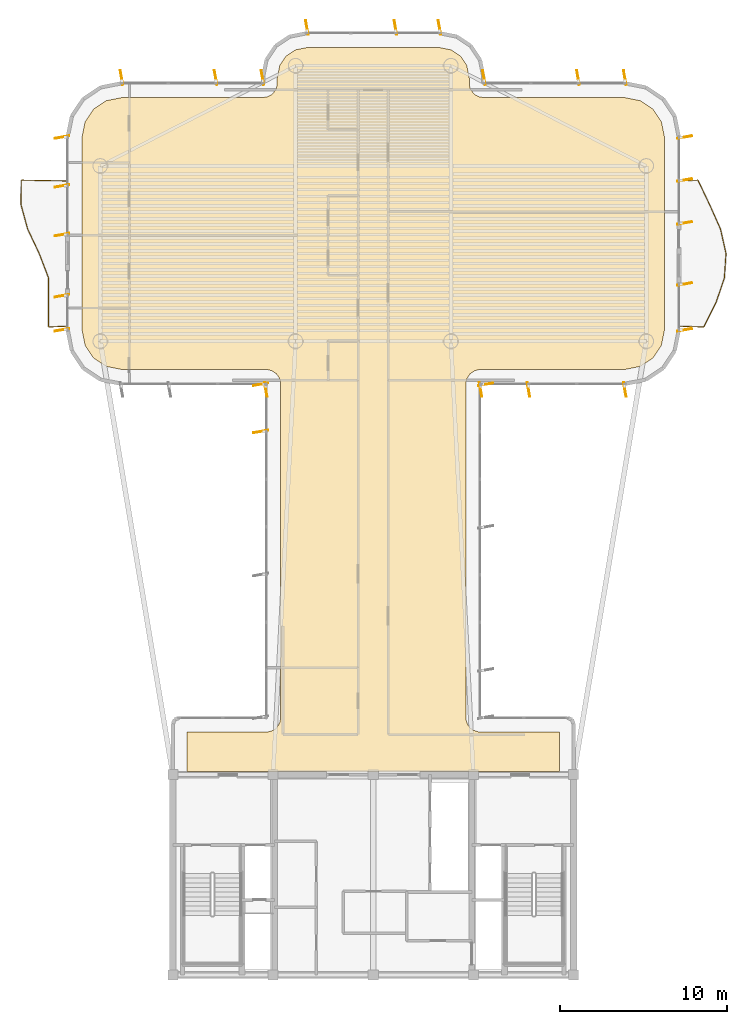
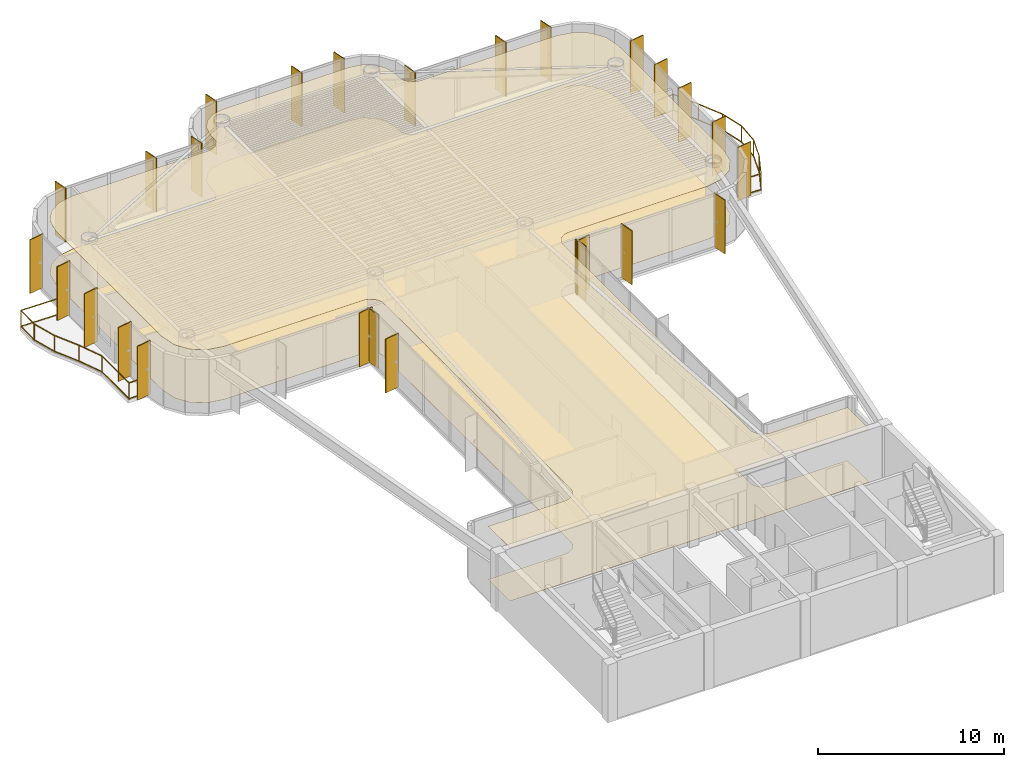
# One storey, part 15 of 15: 26 shading devices, 2 coverings, 2 railings.
"""IFC4 building model written with IfcOpenShell, lengths in metres."""

from ifc_helpers import new_model, si_unit, direction, frame, origin, origin_2d, place, context, subcontext, project, spatial, polyline, rectangle, outline, extrude, source, transform, mapped, material, layer, layer_set, material_profile, profile_set, type_object, element, save


model = new_model("IFC4")

# Units and contexts
model_context = context("Model", 3, precision=1e-05, world=origin(), true_north=direction((0.0, 1.0)))
body_context = subcontext(model_context, "Body", "Model", "MODEL_VIEW")
ifc_project = project(units=[si_unit("LENGTHUNIT", "METRE"), si_unit("AREAUNIT", "SQUARE_METRE"), si_unit("VOLUMEUNIT", "CUBIC_METRE"), si_unit("PLANEANGLEUNIT", "RADIAN"), si_unit("MASSUNIT", "GRAM", prefix="KILO")], contexts=[model_context])

# Site, building, storey
site_placement = place(None, origin())
site = spatial("IfcSite", under=ifc_project, at=site_placement, CompositionType="ELEMENT")
building_placement = place(site_placement, origin())
building = spatial("IfcBuilding", under=site, at=building_placement, Name="Brelvock Crest Care Tower", CompositionType="ELEMENT")
storey_placement = place(building_placement, frame((0.0, 0.0, 279.719970703125)))
storey = spatial("IfcBuildingStorey", under=building, at=storey_placement, Name="L71", CompositionType="ELEMENT", Elevation=279.719970703125)

# Coverings
ifc_material_1 = material(Name="Mineral Fibre Acoustic Ceiling Tile", Category="gypsum")
ifc_layer_1 = layer(ifc_material_1, 0.02490234375, Name="COV-CLG1")
ifc_layer_set_1 = layer_set([ifc_layer_1], Name="Mineral Fibre Acoustic Ceiling Tile")
covering_type_1 = type_object("IfcCoveringType", Name="COV-CLG1", PredefinedType="CEILING", material=ifc_layer_set_1)
covering_1_placement = place(storey_placement, frame((0.0, 0.0, 3.47509765625)))
element("IfcCovering", 1, at=covering_1_placement, inside=storey, type_object=covering_type_1, Name="L71 Acoustic Suspended Ceiling 1", PredefinedType="CEILING", context=body_context, shape_type="SweptSolid", body=[
    extrude(outline(polyline([(24.85009765625, 18.199951171875), (47.14990234375, 18.199951171875), (47.14990234375, 20.550048828125), (42.316650390625, 20.55419921875), (41.999267578125, 20.650390625), (41.799072265625, 20.799072265625), (41.650390625, 20.999267578125), (41.56640625, 21.234130859375), (41.55419921875, 41.4833984375), (41.61474609375, 41.725341796875), (41.799072265625, 42.0009765625), (42.07470703125, 42.185302734375), (42.316650390625, 42.245849609375), (51.016357421875, 42.25), (51.992919921875, 42.4443359375), (52.75, 42.9501953125), (53.255615234375, 43.70703125), (53.449951171875, 44.68359375), (53.449951171875, 56.1162109375), (53.255615234375, 57.093017578125), (52.75, 57.849853515625), (51.992919921875, 58.355712890625), (51.016357421875, 58.550048828125), (42.60009765625, 58.550048828125), (42.353271484375, 58.586669921875), (42.127685546875, 58.693359375), (41.9990234375, 58.799072265625), (41.814697265625, 59.07470703125), (41.754150390625, 59.316650390625), (41.75, 59.71630859375), (41.601318359375, 60.46337890625), (41.2255859375, 61.025634765625), (40.663330078125, 61.4013671875), (39.916259765625, 61.550048828125), (32.083740234375, 61.550048828125), (31.336669921875, 61.4013671875), (30.7744140625, 61.025634765625), (30.398681640625, 60.46337890625), (30.25, 59.71630859375), (30.245849609375, 59.316650390625), (30.185302734375, 59.07470703125), (30.0009765625, 58.799072265625), (29.872314453125, 58.693359375), (29.646728515625, 58.586669921875), (29.39990234375, 58.550048828125), (20.983642578125, 58.550048828125), (20.007080078125, 58.355712890625), (19.25, 57.849853515625), (18.744384765625, 57.093017578125), (18.550048828125, 56.1162109375), (18.550048828125, 44.68359375), (18.744384765625, 43.70703125), (19.25, 42.9501953125), (20.007080078125, 42.4443359375), (20.983642578125, 42.25), (29.683349609375, 42.245849609375), (29.92529296875, 42.185302734375), (30.200927734375, 42.0009765625), (30.349609375, 41.80078125), (30.43359375, 41.56591796875), (30.449951171875, 21.39990234375), (30.413330078125, 21.1533203125), (30.306640625, 20.927734375), (30.13916015625, 20.742919921875), (29.92529296875, 20.61474609375), (29.683349609375, 20.55419921875), (24.85009765625, 20.550048828125), (24.85009765625, 18.199951171875)])), origin(), (0.0, 0.0, 1.0), 0.02490234375),
])
ifc_material_2 = material(Name="Slip-Resistant Acoustic Vinyl Flooring", Category="finish")
ifc_layer_2 = layer(ifc_material_2, 0.014892578125, Name="COV-FLR1")
ifc_layer_set_2 = layer_set([ifc_layer_2], Name="Slip-Resistant Acoustic Vinyl Flooring")
covering_type_2 = type_object("IfcCoveringType", Name="COV-FLR1", PredefinedType="FLOORING", material=ifc_layer_set_2)
covering_2_placement = place(storey_placement, origin())
element("IfcCovering", 2, at=covering_2_placement, inside=storey, type_object=covering_type_2, Name="L71 Slip-Resistant Acoustic Flooring 1", PredefinedType="FLOORING", context=body_context, shape_type="SweptSolid", body=[
    extrude(outline(polyline([(24.85009765625, 18.199951171875), (47.14990234375, 18.199951171875), (47.14990234375, 20.550048828125), (42.316650390625, 20.55419921875), (41.999267578125, 20.650390625), (41.799072265625, 20.799072265625), (41.650390625, 20.999267578125), (41.56640625, 21.234130859375), (41.55419921875, 41.4833984375), (41.61474609375, 41.725341796875), (41.799072265625, 42.0009765625), (42.07470703125, 42.185302734375), (42.316650390625, 42.245849609375), (51.016357421875, 42.25), (51.992919921875, 42.4443359375), (52.75, 42.9501953125), (53.255615234375, 43.70703125), (53.449951171875, 44.68359375), (53.449951171875, 56.1162109375), (53.255615234375, 57.093017578125), (52.75, 57.849853515625), (51.992919921875, 58.355712890625), (51.016357421875, 58.550048828125), (42.60009765625, 58.550048828125), (42.353271484375, 58.586669921875), (42.127685546875, 58.693359375), (41.9990234375, 58.799072265625), (41.814697265625, 59.07470703125), (41.754150390625, 59.316650390625), (41.75, 59.71630859375), (41.601318359375, 60.46337890625), (41.2255859375, 61.025634765625), (40.663330078125, 61.4013671875), (39.916259765625, 61.550048828125), (32.083740234375, 61.550048828125), (31.336669921875, 61.4013671875), (30.7744140625, 61.025634765625), (30.398681640625, 60.46337890625), (30.25, 59.71630859375), (30.245849609375, 59.316650390625), (30.185302734375, 59.07470703125), (30.0009765625, 58.799072265625), (29.872314453125, 58.693359375), (29.646728515625, 58.586669921875), (29.39990234375, 58.550048828125), (20.983642578125, 58.550048828125), (20.007080078125, 58.355712890625), (19.25, 57.849853515625), (18.744384765625, 57.093017578125), (18.550048828125, 56.1162109375), (18.550048828125, 44.68359375), (18.744384765625, 43.70703125), (19.25, 42.9501953125), (20.007080078125, 42.4443359375), (20.983642578125, 42.25), (29.683349609375, 42.245849609375), (29.92529296875, 42.185302734375), (30.200927734375, 42.0009765625), (30.349609375, 41.80078125), (30.43359375, 41.56591796875), (30.449951171875, 21.39990234375), (30.413330078125, 21.1533203125), (30.306640625, 20.927734375), (30.13916015625, 20.742919921875), (29.92529296875, 20.61474609375), (29.683349609375, 20.55419921875), (24.85009765625, 20.550048828125), (24.85009765625, 18.199951171875)])), origin(), (0.0, 0.0, 1.0), 0.01513671875),
])

# Railings
ifc_material_3 = material(Name="Dark Glass Double Glazed Low-E", Category="glass")
ifc_layer_3 = layer(ifc_material_3, 0.06005859375, Name="RL-BAL1")
ifc_layer_set_3 = layer_set([ifc_layer_3], Name="Dark Glass Double Glazed Low-E")
railing_type = type_object("IfcRailingType", Name="RL-BAL1", PredefinedType="BALUSTRADE", material=ifc_layer_set_3)
railing_1_placement = place(storey_placement, frame((17.659912109375, 44.85009765625, 0.004150390625)))
element("IfcRailing", 3, at=railing_1_placement, inside=storey, type_object=railing_type, Name="L71 Safety Balustrade WB-W", PredefinedType="BALUSTRADE", context=body_context, shape_type="SweptSolid", body=[
    extrude(rectangle(XDim=0.048095703125, YDim=0.048095703125, at=origin_2d()), frame((-0.001953125, 0.0, 1.09619140625), z_axis=(-0.998966252902, -0.045457953795, 0.0), x_axis=(0.045457953795, -0.998966252902, 0.0)), (0.0, 0.0, 1.0), 1.096923828125),
    extrude(rectangle(XDim=0.048095703125, YDim=0.048095703125, at=origin_2d()), frame((-0.001953125, 0.0, 0.054931640625), z_axis=(-0.998966252902, -0.045457953795, 0.0), x_axis=(0.045457953795, -0.998966252902, 0.0)), (0.0, 0.0, 1.0), 1.096923828125),
    extrude(rectangle(XDim=0.048095703125, YDim=0.048095703125, at=origin_2d()), frame((-1.099853515625, -0.048095703125, 1.09619140625), z_axis=(0.0, 1.0, 0.0), x_axis=(-1.0, 0.0, 0.0)), (0.0, 0.0, 1.0), 2.929443359375),
    extrude(rectangle(XDim=0.048095703125, YDim=0.048095703125, at=origin_2d()), frame((-1.099853515625, -0.048095703125, 0.054931640625), z_axis=(0.0, 1.0, 0.0), x_axis=(-1.0, 0.0, 0.0)), (0.0, 0.0, 1.0), 2.929443359375),
    extrude(rectangle(XDim=0.048095703125, YDim=0.048095703125, at=origin_2d()), frame((-1.1005859375, 2.88525390625, 1.09619140625), z_axis=(-0.357436663677, 0.933937380909, 0.0), x_axis=(-0.933937380909, -0.357436663677, 0.0)), (0.0, 0.0, 1.0), 1.56640625),
    extrude(rectangle(XDim=0.048095703125, YDim=0.048095703125, at=origin_2d()), frame((-1.1005859375, 2.88525390625, 0.054931640625), z_axis=(-0.357436663677, 0.933937380909, 0.0), x_axis=(-0.933937380909, -0.357436663677, 0.0)), (0.0, 0.0, 1.0), 1.56640625),
    extrude(rectangle(XDim=0.048095703125, YDim=0.048095703125, at=origin_2d()), frame((-1.661865234375, 4.3515625, 1.09619140625), z_axis=(-0.426746449171, 0.904371310978, 0.0), x_axis=(-0.904371310978, -0.426746449171, 0.0)), (0.0, 0.0, 1.0), 1.617919921875),
    extrude(rectangle(XDim=0.048095703125, YDim=0.048095703125, at=origin_2d()), frame((-1.661865234375, 4.3515625, 0.054931640625), z_axis=(-0.426746449171, 0.904371310978, 0.0), x_axis=(-0.904371310978, -0.426746449171, 0.0)), (0.0, 0.0, 1.0), 1.617919921875),
    extrude(rectangle(XDim=0.048095703125, YDim=0.048095703125, at=origin_2d()), frame((-2.353759765625, 5.818603515625, 1.09619140625), z_axis=(-0.263525028953, 0.964652558756, 0.0), x_axis=(-0.964652558756, -0.263525028953, 0.0)), (0.0, 0.0, 1.0), 1.516357421875),
    extrude(rectangle(XDim=0.048095703125, YDim=0.048095703125, at=origin_2d()), frame((-2.353759765625, 5.818603515625, 0.054931640625), z_axis=(-0.263525028953, 0.964652558756, 0.0), x_axis=(-0.964652558756, -0.263525028953, 0.0)), (0.0, 0.0, 1.0), 1.516357421875),
    extrude(rectangle(XDim=0.048095703125, YDim=0.048095703125, at=origin_2d()), frame((-2.75390625, 7.28515625, 1.09619140625), z_axis=(0.013647197663, 0.999906872662, 0.0), x_axis=(-0.999906872662, 0.013647197663, 0.0)), (0.0, 0.0, 1.0), 1.462890625),
    extrude(rectangle(XDim=0.048095703125, YDim=0.048095703125, at=origin_2d()), frame((-2.75390625, 7.28515625, 0.054931640625), z_axis=(0.013647197663, 0.999906872662, 0.0), x_axis=(-0.999906872662, 0.013647197663, 0.0)), (0.0, 0.0, 1.0), 1.462890625),
    extrude(rectangle(XDim=0.048095703125, YDim=0.048095703125, at=origin_2d()), frame((-2.73193359375, 8.75, 1.09619140625), z_axis=(0.999832471903, -0.018303773597, 0.0), x_axis=(0.018303773597, 0.999832471903, 0.0)), (0.0, 0.0, 1.0), 2.730224609375),
    extrude(rectangle(XDim=0.048095703125, YDim=0.048095703125, at=origin_2d()), frame((-2.73193359375, 8.75, 0.054931640625), z_axis=(0.999832471903, -0.018303773597, 0.0), x_axis=(0.018303773597, 0.999832471903, 0.0)), (0.0, 0.0, 1.0), 2.730224609375),
    extrude(rectangle(XDim=0.0419921875, YDim=0.0419921875, at=origin_2d()), origin(), (0.0, 0.0, 1.0), 1.070068359375),
    extrude(rectangle(XDim=0.0419921875, YDim=0.0419921875, at=origin_2d()), frame((-1.099853515625, -0.050048828125, 0.0)), (0.0, 0.0, 1.0), 1.070068359375),
    extrude(rectangle(XDim=0.0419921875, YDim=0.0419921875, at=origin_2d()), frame((-1.099853515625, 2.88330078125, 0.0)), (0.0, 0.0, 1.0), 1.070068359375),
    extrude(rectangle(XDim=0.0419921875, YDim=0.0419921875, at=origin_2d()), frame((-1.6611328125, 4.349853515625, 0.0)), (0.0, 0.0, 1.0), 1.070068359375),
    extrude(rectangle(XDim=0.0419921875, YDim=0.0419921875, at=origin_2d()), frame((-2.353271484375, 5.816650390625, 0.0)), (0.0, 0.0, 1.0), 1.070068359375),
    extrude(rectangle(XDim=0.0419921875, YDim=0.0419921875, at=origin_2d()), frame((-2.75390625, 7.283203125, 0.0)), (0.0, 0.0, 1.0), 1.070068359375),
    extrude(rectangle(XDim=0.0419921875, YDim=0.0419921875, at=origin_2d()), frame((-2.73388671875, 8.75, 0.0)), (0.0, 0.0, 1.0), 1.070068359375),
    extrude(rectangle(XDim=0.0419921875, YDim=0.0419921875, at=origin_2d()), frame((0.0, 8.699951171875, 0.0)), (0.0, 0.0, 1.0), 1.070068359375),
])
railing_2_placement = place(storey_placement, frame((54.340087890625, 44.85009765625, 0.004150390625)))
element("IfcRailing", 4, at=railing_2_placement, inside=storey, type_object=railing_type, Name="L71 Safety Balustrade WB-E", PredefinedType="BALUSTRADE", context=body_context, shape_type="SweptSolid", body=[
    extrude(rectangle(XDim=0.048095703125, YDim=0.048095703125, at=origin_2d()), frame((0.001953125, 0.0, 1.09619140625), z_axis=(0.999404799616, -0.034497050669, 0.0), x_axis=(0.034497050669, 0.999404799616, 0.0)), (0.0, 0.0, 1.0), 1.44677734375),
    extrude(rectangle(XDim=0.048095703125, YDim=0.048095703125, at=origin_2d()), frame((0.001953125, 0.0, 0.054931640625), z_axis=(0.999404799616, -0.034497050669, 0.0), x_axis=(0.034497050669, 0.999404799616, 0.0)), (0.0, 0.0, 1.0), 1.44677734375),
    extrude(rectangle(XDim=0.048095703125, YDim=0.048095703125, at=origin_2d()), frame((1.450927734375, -0.04833984375, 1.09619140625), z_axis=(0.448225238773, 0.893920653821, 0.0), x_axis=(-0.893920653821, 0.448225238773, 0.0)), (0.0, 0.0, 1.0), 1.636474609375),
    extrude(rectangle(XDim=0.048095703125, YDim=0.048095703125, at=origin_2d()), frame((1.450927734375, -0.04833984375, 0.054931640625), z_axis=(0.448225238773, 0.893920653821, 0.0), x_axis=(-0.893920653821, 0.448225238773, 0.0)), (0.0, 0.0, 1.0), 1.636474609375),
    extrude(rectangle(XDim=0.048095703125, YDim=0.048095703125, at=origin_2d()), frame((2.18603515625, 1.41845703125, 1.09619140625), z_axis=(0.321377111723, 0.946951293394, 0.0), x_axis=(-0.946951293394, 0.321377111723, 0.0)), (0.0, 0.0, 1.0), 1.544921875),
    extrude(rectangle(XDim=0.048095703125, YDim=0.048095703125, at=origin_2d()), frame((2.18603515625, 1.41845703125, 0.054931640625), z_axis=(0.321377111723, 0.946951293394, 0.0), x_axis=(-0.946951293394, 0.321377111723, 0.0)), (0.0, 0.0, 1.0), 1.544921875),
    extrude(rectangle(XDim=0.048095703125, YDim=0.048095703125, at=origin_2d()), frame((2.683349609375, 2.88525390625, 1.09619140625), z_axis=(0.068095275072, 0.997678822825, 0.0), x_axis=(-0.997678822825, 0.068095275072, 0.0)), (0.0, 0.0, 1.0), 1.466064453125),
    extrude(rectangle(XDim=0.048095703125, YDim=0.048095703125, at=origin_2d()), frame((2.683349609375, 2.88525390625, 0.054931640625), z_axis=(0.068095275072, 0.997678822825, 0.0), x_axis=(-0.997678822825, 0.068095275072, 0.0)), (0.0, 0.0, 1.0), 1.466064453125),
    extrude(rectangle(XDim=0.048095703125, YDim=0.048095703125, at=origin_2d()), frame((2.78271484375, 4.351806640625, 1.09619140625), z_axis=(-0.219543106889, 0.975602800435, 0.0), x_axis=(-0.975602800435, -0.219543106889, 0.0)), (0.0, 0.0, 1.0), 1.49951171875),
    extrude(rectangle(XDim=0.048095703125, YDim=0.048095703125, at=origin_2d()), frame((2.78271484375, 4.351806640625, 0.054931640625), z_axis=(-0.219543106889, 0.975602800435, 0.0), x_axis=(-0.975602800435, -0.219543106889, 0.0)), (0.0, 0.0, 1.0), 1.49951171875),
    extrude(rectangle(XDim=0.048095703125, YDim=0.048095703125, at=origin_2d()), frame((2.452392578125, 5.818359375, 1.09619140625), z_axis=(-0.407182153329, 0.913346973505, 0.0), x_axis=(-0.913346973505, -0.407182153329, 0.0)), (0.0, 0.0, 1.0), 1.601806640625),
    extrude(rectangle(XDim=0.048095703125, YDim=0.048095703125, at=origin_2d()), frame((2.452392578125, 5.818359375, 0.054931640625), z_axis=(-0.407182153329, 0.913346973505, 0.0), x_axis=(-0.913346973505, -0.407182153329, 0.0)), (0.0, 0.0, 1.0), 1.601806640625),
    extrude(rectangle(XDim=0.048095703125, YDim=0.048095703125, at=origin_2d()), frame((1.79833984375, 7.284912109375, 1.09619140625), z_axis=(-0.430429214624, 0.902624335589, 0.0), x_axis=(-0.902624335589, -0.430429214624, 0.0)), (0.0, 0.0, 1.0), 1.62109375),
    extrude(rectangle(XDim=0.048095703125, YDim=0.048095703125, at=origin_2d()), frame((1.79833984375, 7.284912109375, 0.054931640625), z_axis=(-0.430429214624, 0.902624335589, 0.0), x_axis=(-0.902624335589, -0.430429214624, 0.0)), (0.0, 0.0, 1.0), 1.62109375),
    extrude(rectangle(XDim=0.048095703125, YDim=0.048095703125, at=origin_2d()), frame((1.097900390625, 8.75, 1.09619140625), z_axis=(-0.998966252902, -0.045457953795, 0.0), x_axis=(0.045457953795, -0.998966252902, 0.0)), (0.0, 0.0, 1.0), 1.096923828125),
    extrude(rectangle(XDim=0.048095703125, YDim=0.048095703125, at=origin_2d()), frame((1.097900390625, 8.75, 0.054931640625), z_axis=(-0.998966252902, -0.045457953795, 0.0), x_axis=(0.045457953795, -0.998966252902, 0.0)), (0.0, 0.0, 1.0), 1.096923828125),
    extrude(rectangle(XDim=0.0419921875, YDim=0.0419921875, at=origin_2d()), origin(), (0.0, 0.0, 1.0), 1.070068359375),
    extrude(rectangle(XDim=0.0419921875, YDim=0.0419921875, at=origin_2d()), frame((1.449951171875, -0.050048828125, 0.0)), (0.0, 0.0, 1.0), 1.070068359375),
    extrude(rectangle(XDim=0.0419921875, YDim=0.0419921875, at=origin_2d()), frame((2.185302734375, 1.41650390625, 0.0)), (0.0, 0.0, 1.0), 1.070068359375),
    extrude(rectangle(XDim=0.0419921875, YDim=0.0419921875, at=origin_2d()), frame((2.68310546875, 2.88330078125, 0.0)), (0.0, 0.0, 1.0), 1.070068359375),
    extrude(rectangle(XDim=0.0419921875, YDim=0.0419921875, at=origin_2d()), frame((2.783203125, 4.349853515625, 0.0)), (0.0, 0.0, 1.0), 1.070068359375),
    extrude(rectangle(XDim=0.0419921875, YDim=0.0419921875, at=origin_2d()), frame((2.453125, 5.816650390625, 0.0)), (0.0, 0.0, 1.0), 1.070068359375),
    extrude(rectangle(XDim=0.0419921875, YDim=0.0419921875, at=origin_2d()), frame((1.79931640625, 7.283203125, 0.0)), (0.0, 0.0, 1.0), 1.070068359375),
    extrude(rectangle(XDim=0.0419921875, YDim=0.0419921875, at=origin_2d()), frame((1.099853515625, 8.75, 0.0)), (0.0, 0.0, 1.0), 1.070068359375),
    extrude(rectangle(XDim=0.0419921875, YDim=0.0419921875, at=origin_2d()), frame((0.0, 8.699951171875, 0.0)), (0.0, 0.0, 1.0), 1.070068359375),
])

# Shading devices
ifc_material_4 = material(Name="Aluminium 6063-T6", Category="aluminium")
ifc_material_profile = material_profile(ifc_material_4, rectangle(XDim=0.054931640625, YDim=0.89990234375, at=origin_2d()), Name="FIN55x900")
ifc_profile_set = profile_set([ifc_material_profile], Name="Aluminium 6063-T6")
shading_device_type = type_object("IfcShadingDeviceType", Name="SHD-FIN1", PredefinedType="USERDEFINED", material=ifc_profile_set)
shared_shape = source(origin(), body_context, "Body", "SweptSolid", [
    extrude(rectangle(XDim=0.054931640625, YDim=0.89990234375, at=origin_2d()), origin(), (0.0, 0.0, 1.0), 3.530029296875),
])
for number, where, z_axis, x_axis, name in (
    (5, (29.260009765625, 38.54296875, 0.0), (0.0, 0.0, 1.0), (-0.173648177667, 0.984807753012, 0.0), "L71 Vertical Sunshade Fin E11-07"),
    (6, (29.260009765625, 41.3701171875, 0.0), (0.0, 0.0, 1.0), (-0.173648177667, 0.984807753012, 0.0), "L71 Vertical Sunshade Fin E11-08"),
    (7, (29.570068359375, 41.06005859375, 0.0), (0.0, 0.0, 1.0), (-0.984807753012, -0.173648177667, 0.0), "L71 Vertical Sunshade Fin E12-01"),
    (8, (17.360107421875, 44.6298828125, 0.0), (0.0, 0.0, 1.0), (-0.173648177667, 0.984807753012, 0.0), "L71 Vertical Sunshade Fin E17A-01"),
    (9, (17.360107421875, 46.669921875, 0.0), (0.0, 0.0, 1.0), (-0.173648177667, 0.984807753012, 0.0), "L71 Vertical Sunshade Fin E17A-02"),
    (10, (17.360107421875, 50.330078125, 0.0), (0.0, 0.0, 1.0), (-0.173648177667, 0.984807753012, 0.0), "L71 Vertical Sunshade Fin E17B-01"),
    (11, (17.360107421875, 53.25, 0.0), (0.0, 0.0, 1.0), (-0.173648177667, 0.984807753012, 0.0), "L71 Vertical Sunshade Fin E17B-02"),
    (12, (17.360107421875, 56.169921875, 0.0), (0.0, 0.0, 1.0), (-0.173648177667, 0.984807753012, 0.0), "L71 Vertical Sunshade Fin E17B-03"),
    (13, (20.929931640625, 59.739990234375, 0.0), (0.0, 0.0, 1.0), (0.984807753012, 0.173648177667, 0.0), "L71 Vertical Sunshade Fin E22-01"),
    (14, (26.566650390625, 59.739990234375, 0.0), (0.0, 0.0, 1.0), (0.984807753012, 0.173648177667, 0.0), "L71 Vertical Sunshade Fin E22-03"),
    (15, (29.3701171875, 59.739990234375, 0.0), (0.0, 0.0, 1.0), (0.984807753012, 0.173648177667, 0.0), "L71 Vertical Sunshade Fin E22-04"),
    (16, (32.030029296875, 62.739990234375, 0.0), (0.0, 0.0, 1.0), (0.984807753012, 0.173648177667, 0.0), "L71 Vertical Sunshade Fin E28-01"),
    (17, (37.333251953125, 62.739990234375, 0.0), (0.0, 0.0, 1.0), (0.984807753012, 0.173648177667, 0.0), "L71 Vertical Sunshade Fin E28-03"),
    (18, (39.969970703125, 62.739990234375, 0.0), (0.0, 0.0, 1.0), (0.984807753012, 0.173648177667, 0.0), "L71 Vertical Sunshade Fin E28-04"),
    (19, (42.6298828125, 59.739990234375, 0.0), (0.0, 0.0, 1.0), (0.984807753012, 0.173648177667, 0.0), "L71 Vertical Sunshade Fin E34-01"),
    (20, (48.2666015625, 59.739990234375, 0.0), (0.0, 0.0, 1.0), (0.984807753012, 0.173648177667, 0.0), "L71 Vertical Sunshade Fin E34-03"),
    (21, (51.070068359375, 59.739990234375, 0.0), (0.0, 0.0, 1.0), (0.984807753012, 0.173648177667, 0.0), "L71 Vertical Sunshade Fin E34-04"),
    (22, (54.639892578125, 56.169921875, 0.0), (0.0, 0.0, 1.0), (0.173648177667, -0.984807753012, 0.0), "L71 Vertical Sunshade Fin E39A-01"),
    (23, (54.639892578125, 53.60009765625, 0.0), (0.0, 0.0, 1.0), (0.173648177667, -0.984807753012, 0.0), "L71 Vertical Sunshade Fin E39A-02"),
    (24, (54.639892578125, 51.030029296875, 0.0), (0.0, 0.0, 1.0), (0.173648177667, -0.984807753012, 0.0), "L71 Vertical Sunshade Fin E39A-03"),
    (25, (54.639892578125, 47.3701171875, 0.0), (0.0, 0.0, 1.0), (0.173648177667, -0.984807753012, 0.0), "L71 Vertical Sunshade Fin E39B-01"),
    (26, (54.639892578125, 44.6298828125, 0.0), (0.0, 0.0, 1.0), (0.173648177667, -0.984807753012, 0.0), "L71 Vertical Sunshade Fin E39B-02"),
    (27, (51.070068359375, 41.06005859375, 0.0), (0.0, 0.0, 1.0), (-0.984807753012, -0.173648177667, 0.0), "L71 Vertical Sunshade Fin E44-01"),
    (28, (45.300048828125, 41.06005859375, 0.0), (0.0, 0.0, 1.0), (-0.984807753012, -0.173648177667, 0.0), "L71 Vertical Sunshade Fin E44-03"),
    (29, (42.429931640625, 41.06005859375, 0.0), (0.0, 0.0, 1.0), (-0.984807753012, -0.173648177667, 0.0), "L71 Vertical Sunshade Fin E44-04"),
    (30, (42.739990234375, 41.3701171875, 0.0), (0.0, 0.0, 1.0), (0.173648177667, -0.984807753012, 0.0), "L71 Vertical Sunshade Fin E45-01"),
):
    element("IfcShadingDevice", number, at=place(storey_placement, frame(where, z_axis=z_axis, x_axis=x_axis)), inside=storey, type_object=shading_device_type, Name=name, ObjectType="FIN", PredefinedType="USERDEFINED", context=body_context, shape_type="MappedRepresentation", body=[
        mapped(shared_shape, transform((0.0, 0.0, 0.0), x_axis=(1.0, 0.0, 0.0), y_axis=(0.0, 1.0, 0.0), z_axis=(0.0, 0.0, 1.0), scale=1.0)),
    ])

save(model, "model.ifc")
